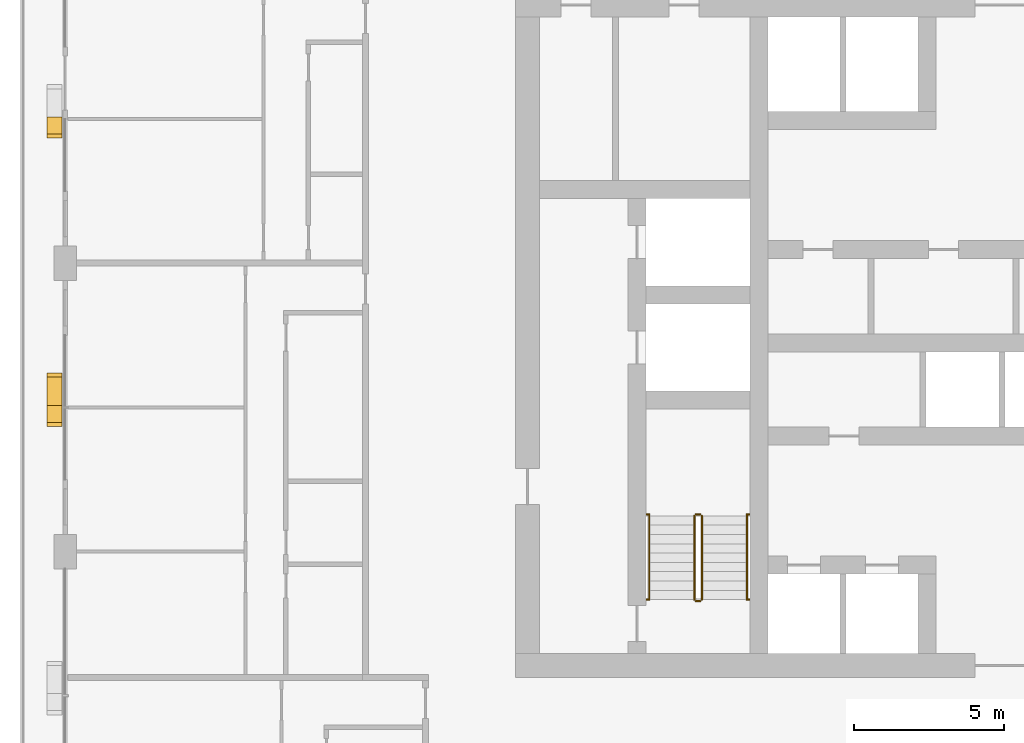
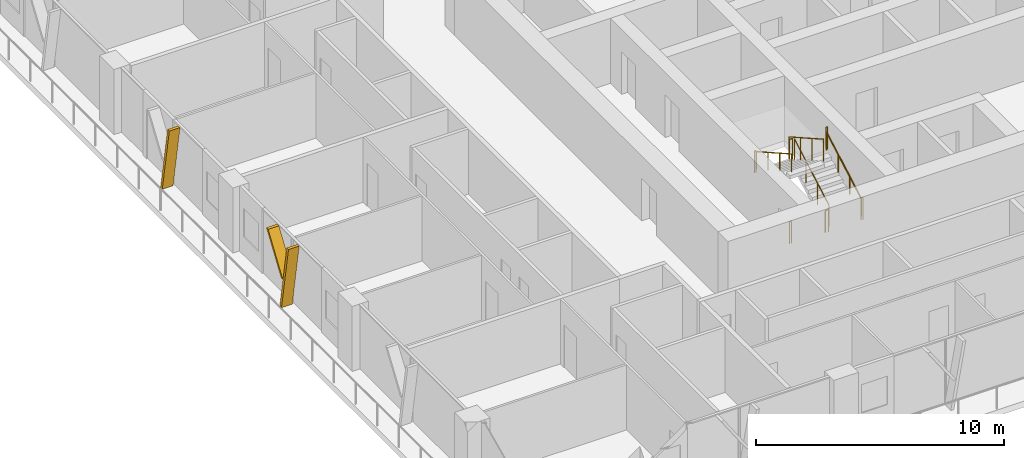
# One storey, part 17 of 22: 10 railings, 3 shading devices.
"""IFC4 building model written with IfcOpenShell, lengths in metres."""

from ifc_helpers import new_model, si_unit, direction, frame, origin, origin_2d, place, context, subcontext, project, spatial, polyline, circle, outline, extrude, material, type_object, element, save


model = new_model("IFC4")

# Units and contexts
model_context = context("Model", 3, precision=1e-05, world=origin(), true_north=direction((0.0, 1.0)))
body_context = subcontext(model_context, "Body", "Model", "MODEL_VIEW")
ifc_project = project(units=[si_unit("LENGTHUNIT", "METRE"), si_unit("AREAUNIT", "SQUARE_METRE"), si_unit("VOLUMEUNIT", "CUBIC_METRE"), si_unit("PLANEANGLEUNIT", "RADIAN"), si_unit("MASSUNIT", "GRAM", prefix="KILO")], contexts=[model_context])

# Site, building, storey
site_placement = place(None, origin())
site = spatial("IfcSite", under=ifc_project, at=site_placement, CompositionType="ELEMENT")
building_placement = place(site_placement, origin())
building = spatial("IfcBuilding", under=site, at=building_placement, Name="Madar Terraces", CompositionType="ELEMENT")
storey_placement = place(building_placement, frame((0.0, 0.0, 126.10009765625)))
storey = spatial("IfcBuildingStorey", under=building, at=storey_placement, Name="L32", CompositionType="ELEMENT", Elevation=126.10009765625)

# Shading devices
ifc_material_1 = material(Name="Aluminium, black anodised", Category="aluminium")
shading_device_type = type_object("IfcShadingDeviceType", Name="Facade fin blade 140 x 500", PredefinedType="USERDEFINED", material=ifc_material_1)
shading_device_1_placement = place(storey_placement, frame((-0.35009765625, 33.669921875, 0.0), z_axis=(0.0, 0.0, 1.0), x_axis=(0.0, -1.0, 0.0)))
element("IfcShadingDevice", 1, at=shading_device_1_placement, inside=storey, type_object=shading_device_type, Name="FIN L32 W2", ObjectType="FIN", PredefinedType="USERDEFINED", context=body_context, shape_type="SweptSolid", body=[
    extrude(outline(polyline([(0.0, 0.0), (0.139892578125, 0.0), (0.704345703125, 3.199951171875), (0.564208984375, 3.199951171875), (0.0, 0.0)])), frame((0.0, 0.25, 0.0), z_axis=(0.0, -1.0, 0.0), x_axis=(1.0, 0.0, 0.0)), (0.0, 0.0, 1.0), 0.5),
])
shading_device_2_placement = place(storey_placement, frame((-0.35009765625, 24.070068359375, 0.0), z_axis=(0.0, 0.0, 1.0), x_axis=(0.0, -1.0, 0.0)))
element("IfcShadingDevice", 2, at=shading_device_2_placement, inside=storey, type_object=shading_device_type, Name="FIN L32 W3", ObjectType="FIN", PredefinedType="USERDEFINED", context=body_context, shape_type="SweptSolid", body=[
    extrude(outline(polyline([(0.0, 0.0), (0.14013671875, 0.0), (0.704345703125, 3.199951171875), (0.564208984375, 3.199951171875), (0.0, 0.0)])), frame((0.0, 0.25, 0.0), z_axis=(0.0, -1.0, 0.0), x_axis=(1.0, 0.0, 0.0)), (0.0, 0.0, 1.0), 0.5),
])
shading_device_3_placement = place(storey_placement, frame((-0.35009765625, 23.9560546875, 1.43994140625), z_axis=(0.0, 0.0, 1.0), x_axis=(0.0, -1.0, 0.0)))
element("IfcShadingDevice", 3, at=shading_device_3_placement, inside=storey, type_object=shading_device_type, Name="FIN L32 W3 branch", ObjectType="FIN", PredefinedType="USERDEFINED", context=body_context, shape_type="SweptSolid", body=[
    extrude(outline(polyline([(0.0, 0.0), (0.139892578125, 0.0), (-1.049560546875, 1.760009765625), (-1.189697265625, 1.760009765625), (0.0, 0.0)])), frame((0.0, 0.25, 0.0), z_axis=(0.0, -1.0, 0.0), x_axis=(1.0, 0.0, 0.0)), (0.0, 0.0, 1.0), 0.5),
])

# Railings
ifc_material_2 = material(Name="Stainless steel railing", Category="steel")
railing_type_1 = type_object("IfcRailingType", Name="Stair guard 1100", PredefinedType="GUARDRAIL", material=ifc_material_2)
railing_1_placement = place(storey_placement, frame((21.199951171875, 17.60009765625, 0.1748046875)))
element("IfcRailing", 4, at=railing_1_placement, inside=storey, type_object=railing_type_1, Name="L32 ST1 stair guard 1", PredefinedType="GUARDRAIL", context=body_context, shape_type="SweptSolid", body=[
    extrude(circle(Radius=0.02392578125, at=origin_2d()), frame((0.0, 0.0, 1.076171875), z_axis=(0.0, 0.870782738816, 0.491667999549), x_axis=(-1.0, 0.0, 0.0)), (0.0, 0.0, 1.0), 3.203857421875),
    extrude(circle(Radius=0.02099609375, at=origin_2d()), origin(), (0.0, 0.0, 1.0), 1.052001953125),
    extrude(circle(Radius=0.02099609375, at=origin_2d()), frame((0.0, 0.929931640625, 0.525146484375)), (0.0, 0.0, 1.0), 1.052001953125),
    extrude(circle(Radius=0.02099609375, at=origin_2d()), frame((0.0, 1.85986328125, 1.050048828125)), (0.0, 0.0, 1.0), 1.052001953125),
    extrude(circle(Radius=0.02099609375, at=origin_2d()), frame((0.0, 2.789794921875, 1.5751953125)), (0.0, 0.0, 1.0), 1.052001953125),
])
railing_2_placement = place(storey_placement, frame((21.14990234375, 20.43994140625, 1.75)))
element("IfcRailing", 5, at=railing_2_placement, inside=storey, type_object=railing_type_1, Name="L32 ST1 stair guard 2", PredefinedType="GUARDRAIL", context=body_context, shape_type="SweptSolid", body=[
    extrude(circle(Radius=0.02392578125, at=origin_2d()), frame((0.0, 0.0, 1.076171875), z_axis=(-1.0, 0.0, 0.0), x_axis=(0.0, -1.0, 0.0)), (0.0, 0.0, 1.0), 0.14990234375),
    extrude(circle(Radius=0.02099609375, at=origin_2d()), origin(), (0.0, 0.0, 1.0), 1.052001953125),
    extrude(circle(Radius=0.02099609375, at=origin_2d()), frame((-0.14990234375, 0.0, 0.0)), (0.0, 0.0, 1.0), 1.052001953125),
])
railing_3_placement = place(storey_placement, frame((20.949951171875, 20.389892578125, 1.9248046875)))
element("IfcRailing", 6, at=railing_3_placement, inside=storey, type_object=railing_type_1, Name="L32 ST1 stair guard 3", PredefinedType="GUARDRAIL", context=body_context, shape_type="SweptSolid", body=[
    extrude(circle(Radius=0.02392578125, at=origin_2d()), frame((0.0, 0.0, 1.076171875), z_axis=(0.0, -0.870782738816, 0.491667999549), x_axis=(1.0, 0.0, 0.0)), (0.0, 0.0, 1.0), 3.203857421875),
    extrude(circle(Radius=0.02099609375, at=origin_2d()), origin(), (0.0, 0.0, 1.0), 1.052001953125),
    extrude(circle(Radius=0.02099609375, at=origin_2d()), frame((0.0, -0.929931640625, 0.525146484375)), (0.0, 0.0, 1.0), 1.052001953125),
    extrude(circle(Radius=0.02099609375, at=origin_2d()), frame((0.0, -1.85986328125, 1.050048828125)), (0.0, 0.0, 1.0), 1.052001953125),
    extrude(circle(Radius=0.02099609375, at=origin_2d()), frame((0.0, -2.789794921875, 1.5751953125)), (0.0, 0.0, 1.0), 1.052001953125),
])
railing_4_placement = place(storey_placement, frame((21.14990234375, 17.550048828125, 0.0)))
element("IfcRailing", 7, at=railing_4_placement, inside=storey, type_object=railing_type_1, Name="L32 ST1 stair guard 4", PredefinedType="GUARDRAIL", context=body_context, shape_type="SweptSolid", body=[
    extrude(circle(Radius=0.02392578125, at=origin_2d()), frame((0.0, 0.0, 1.076171875), z_axis=(-1.0, 0.0, 0.0), x_axis=(0.0, -1.0, 0.0)), (0.0, 0.0, 1.0), 0.14990234375),
    extrude(circle(Radius=0.02099609375, at=origin_2d()), origin(), (0.0, 0.0, 1.0), 1.052001953125),
    extrude(circle(Radius=0.02099609375, at=origin_2d()), frame((-0.14990234375, 0.0, 0.0)), (0.0, 0.0, 1.0), 1.052001953125),
])
railing_5_placement = place(storey_placement, frame((19.3701171875, 20.43994140625, 1.75)))
element("IfcRailing", 8, at=railing_5_placement, inside=storey, type_object=railing_type_1, Name="L32 stair guard seat 1", PredefinedType="GUARDRAIL", context=body_context, shape_type="SweptSolid", body=[
    extrude(circle(Radius=0.02392578125, at=origin_2d()), frame((0.0, 0.0, 1.076171875), z_axis=(1.0, 0.0, 0.0), x_axis=(0.0, 1.0, 0.0)), (0.0, 0.0, 1.0), 0.079833984375),
    extrude(circle(Radius=0.02099609375, at=origin_2d()), origin(), (0.0, 0.0, 1.0), 1.052001953125),
    extrude(circle(Radius=0.02099609375, at=origin_2d()), frame((0.079833984375, 0.0, 0.0)), (0.0, 0.0, 1.0), 1.052001953125),
])
railing_6_placement = place(storey_placement, frame((22.699951171875, 20.43994140625, 1.75)))
element("IfcRailing", 9, at=railing_6_placement, inside=storey, type_object=railing_type_1, Name="L32 stair guard seat 2", PredefinedType="GUARDRAIL", context=body_context, shape_type="SweptSolid", body=[
    extrude(circle(Radius=0.02392578125, at=origin_2d()), frame((0.0, 0.0, 1.076171875), z_axis=(1.0, 0.0, 0.0), x_axis=(0.0, 1.0, 0.0)), (0.0, 0.0, 1.0), 0.080078125),
    extrude(circle(Radius=0.02099609375, at=origin_2d()), origin(), (0.0, 0.0, 1.0), 1.052001953125),
    extrude(circle(Radius=0.02099609375, at=origin_2d()), frame((0.080078125, 0.0, 0.0)), (0.0, 0.0, 1.0), 1.052001953125),
])
railing_7_placement = place(storey_placement, frame((19.3701171875, 17.60009765625, 0.0)))
element("IfcRailing", 10, at=railing_7_placement, inside=storey, type_object=railing_type_1, Name="L32 stair guard floor 1", PredefinedType="GUARDRAIL", context=body_context, shape_type="SweptSolid", body=[
    extrude(circle(Radius=0.02392578125, at=origin_2d()), frame((0.0, 0.0, 1.076171875), z_axis=(1.0, 0.0, 0.0), x_axis=(0.0, 1.0, 0.0)), (0.0, 0.0, 1.0), 0.079833984375),
    extrude(circle(Radius=0.02099609375, at=origin_2d()), origin(), (0.0, 0.0, 1.0), 1.052001953125),
    extrude(circle(Radius=0.02099609375, at=origin_2d()), frame((0.079833984375, 0.0, 0.0)), (0.0, 0.0, 1.0), 1.052001953125),
])
railing_8_placement = place(storey_placement, frame((22.699951171875, 17.60009765625, 0.0)))
element("IfcRailing", 11, at=railing_8_placement, inside=storey, type_object=railing_type_1, Name="L32 stair guard floor 2", PredefinedType="GUARDRAIL", context=body_context, shape_type="SweptSolid", body=[
    extrude(circle(Radius=0.02392578125, at=origin_2d()), frame((0.0, 0.0, 1.076171875), z_axis=(1.0, 0.0, 0.0), x_axis=(0.0, 1.0, 0.0)), (0.0, 0.0, 1.0), 0.080078125),
    extrude(circle(Radius=0.02099609375, at=origin_2d()), origin(), (0.0, 0.0, 1.0), 1.052001953125),
    extrude(circle(Radius=0.02099609375, at=origin_2d()), frame((0.080078125, 0.0, 0.0)), (0.0, 0.0, 1.0), 1.052001953125),
])
ifc_material_3 = material(Name="Stainless steel railing", Category="steel")
railing_type_2 = type_object("IfcRailingType", Name="Stair handrail 900", PredefinedType="HANDRAIL", material=ifc_material_3)
railing_9_placement = place(storey_placement, frame((22.699951171875, 17.60009765625, 0.1748046875)))
element("IfcRailing", 12, at=railing_9_placement, inside=storey, type_object=railing_type_2, Name="L32 ST1 stair handrail 1", PredefinedType="HANDRAIL", context=body_context, shape_type="SweptSolid", body=[
    extrude(circle(Radius=0.02392578125, at=origin_2d()), frame((0.0, 0.0, 0.8759765625), z_axis=(0.0, 0.870782738816, 0.491667999549), x_axis=(-1.0, 0.0, 0.0)), (0.0, 0.0, 1.0), 3.203857421875),
    extrude(circle(Radius=0.02099609375, at=origin_2d()), origin(), (0.0, 0.0, 1.0), 0.851806640625),
    extrude(circle(Radius=0.02099609375, at=origin_2d()), frame((0.0, 0.929931640625, 0.525146484375)), (0.0, 0.0, 1.0), 0.851806640625),
    extrude(circle(Radius=0.02099609375, at=origin_2d()), frame((0.0, 1.85986328125, 1.050048828125)), (0.0, 0.0, 1.0), 0.851806640625),
    extrude(circle(Radius=0.02099609375, at=origin_2d()), frame((0.0, 2.789794921875, 1.5751953125)), (0.0, 0.0, 1.0), 0.851806640625),
])
railing_10_placement = place(storey_placement, frame((19.449951171875, 20.389892578125, 1.9248046875)))
element("IfcRailing", 13, at=railing_10_placement, inside=storey, type_object=railing_type_2, Name="L32 ST1 stair handrail 2", PredefinedType="HANDRAIL", context=body_context, shape_type="SweptSolid", body=[
    extrude(circle(Radius=0.02392578125, at=origin_2d()), frame((0.0, 0.0, 0.8759765625), z_axis=(0.0, -0.870782738816, 0.491667999549), x_axis=(1.0, 0.0, 0.0)), (0.0, 0.0, 1.0), 3.203857421875),
    extrude(circle(Radius=0.02099609375, at=origin_2d()), origin(), (0.0, 0.0, 1.0), 0.851806640625),
    extrude(circle(Radius=0.02099609375, at=origin_2d()), frame((0.0, -0.929931640625, 0.525146484375)), (0.0, 0.0, 1.0), 0.851806640625),
    extrude(circle(Radius=0.02099609375, at=origin_2d()), frame((0.0, -1.85986328125, 1.050048828125)), (0.0, 0.0, 1.0), 0.851806640625),
    extrude(circle(Radius=0.02099609375, at=origin_2d()), frame((0.0, -2.789794921875, 1.5751953125)), (0.0, 0.0, 1.0), 0.851806640625),
])

save(model, "model.ifc")
